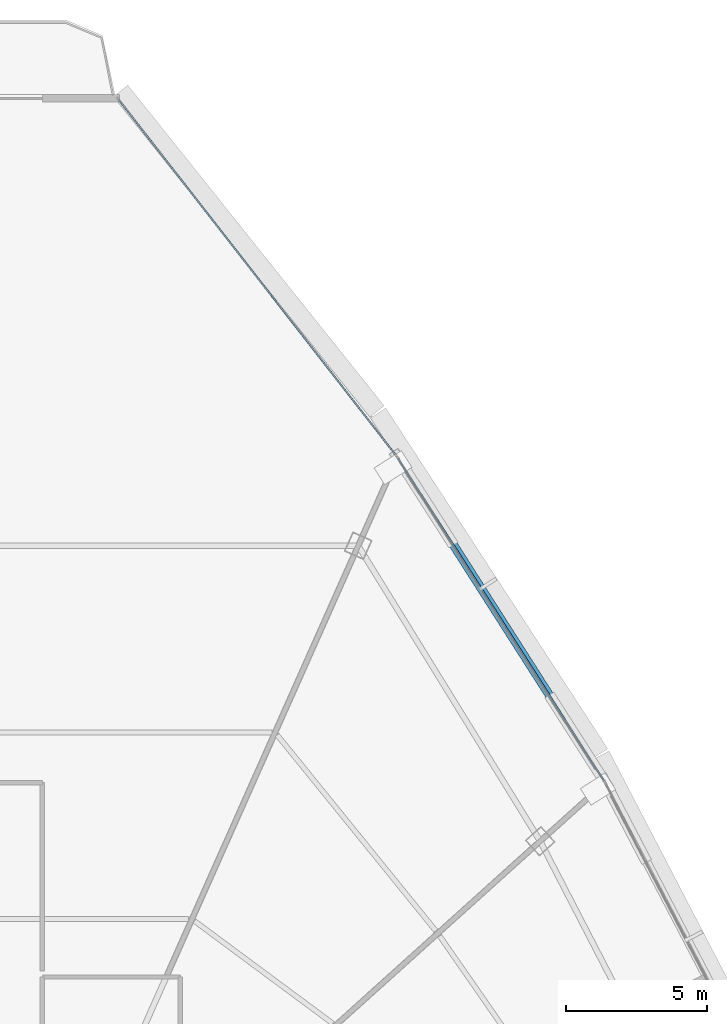
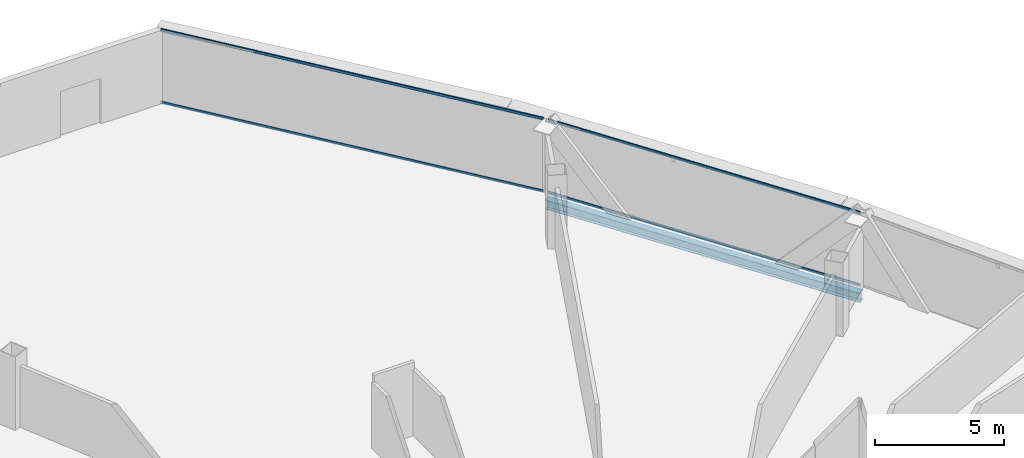
# One storey, part 26 of 39: 4 members, 1 beam, 2 elements without a shape of their own.
"""IFC4 building model written with IfcOpenShell, lengths in metres."""

from ifc_helpers import new_model, si_unit, direction, frame, origin, origin_2d, place, context, subcontext, project, spatial, hollow_rectangle, i_section, extrude, source, transform, mapped, material, layer, layer_set, material_profile, profile_set, type_object, element, aggregate, save


model = new_model("IFC4")

# Units and contexts
model_context = context("Model", 3, precision=1e-05, world=origin(), true_north=direction((0.0, 1.0)))
body_context = subcontext(model_context, "Body", "Model", "MODEL_VIEW")
ifc_project = project(units=[si_unit("LENGTHUNIT", "METRE"), si_unit("AREAUNIT", "SQUARE_METRE"), si_unit("VOLUMEUNIT", "CUBIC_METRE"), si_unit("PLANEANGLEUNIT", "RADIAN"), si_unit("MASSUNIT", "GRAM", prefix="KILO"), si_unit("THERMODYNAMICTEMPERATUREUNIT", "KELVIN"), si_unit("POWERUNIT", "WATT")], contexts=[model_context])

# Site, building, storey
site_placement = place(None, origin())
site = spatial("IfcSite", under=ifc_project, at=site_placement, CompositionType="ELEMENT")
building_placement = place(site_placement, origin())
building = spatial("IfcBuilding", under=site, at=building_placement, Name="Yunzhuo Pagoda Commons", CompositionType="ELEMENT")
storey_placement = place(building_placement, frame((0.0, 0.0, 285.02001953125)))
storey = spatial("IfcBuildingStorey", under=building, at=storey_placement, Name="L71", CompositionType="ELEMENT", Elevation=285.02001953125)

# Beam
ifc_material_1 = material(Name="Structural steel Q355B", Category="steel")
ifc_material_profile_1 = material_profile(ifc_material_1, i_section(OverallWidth=0.300048828125, OverallDepth=0.43994140625, WebThickness=0.010986328125, FlangeThickness=0.01806640625, at=origin_2d()), Name="Structural steel Q355B")
ifc_profile_set_1 = profile_set([ifc_material_profile_1], Name="Structural steel Q355B")
beam_type = type_object("IfcBeamType", Name="B-SP2 Beam HM 440x300x11x18", PredefinedType="BEAM", material=ifc_profile_set_1)
shared_shape_1 = source(origin(), body_context, "Body", "SweptSolid", [
    extrude(i_section(OverallWidth=0.300048828125, OverallDepth=0.43994140625, WebThickness=0.010986328125, FlangeThickness=0.01806640625, at=origin_2d()), origin(), (0.0, 0.0, 1.0), 13.6962890625),
])
beam_placement = place(storey_placement, frame((68.883056640625, 52.5029296875, -0.47998046875), z_axis=(-0.53827499395, 0.842769263137, 0.0), x_axis=(-0.842769263137, -0.53827499395, 0.0)))
element("IfcBeam", 1, at=beam_placement, inside=storey, type_object=beam_type, Name="L71 facade edge spandrel beam F2.3", PredefinedType="BEAM", context=body_context, shape_type="MappedRepresentation", body=[
    mapped(shared_shape_1, transform((0.0, 0.0, 0.0), scale=1.0)),
])

# Curtain wall, members
ifc_material_2 = material(Name="Anodized aluminium 6063-T6", Category="aluminium")
ifc_layer = layer(ifc_material_2, 0.139892578125)
ifc_layer_set = layer_set([ifc_layer], Name="Anodized aluminium 6063-T6")
curtain_wall_type = type_object("IfcCurtainWallType", Name="CW-HI High-Zone Ribbon Curtain Wall", PredefinedType="NOTDEFINED", material=ifc_layer_set)
curtain_wall_1_placement = place(storey_placement, origin())
curtain_wall_1 = element("IfcCurtainWall", 2, at=curtain_wall_1_placement, inside=storey, type_object=curtain_wall_type, Name="L71 curtain wall CW-L71-F2B4", PredefinedType="NOTDEFINED")
ifc_material_profile_2 = material_profile(ifc_material_2, hollow_rectangle(XDim=0.054931640625, YDim=0.1201171875, WallThickness=0.00341796875, at=origin_2d()), Name="Anodized aluminium 6063-T6")
ifc_profile_set_2 = profile_set([ifc_material_profile_2], Name="Anodized aluminium 6063-T6")
member_type = type_object("IfcMemberType", Name="CW-HI-T Transom RHS 120x55x3.5", PredefinedType="USERDEFINED", material=ifc_profile_set_2)
shared_shape_2 = source(origin(), body_context, "Body", "SweptSolid", [
    extrude(hollow_rectangle(XDim=0.054931640625, YDim=0.1201171875, WallThickness=0.00341796875, at=origin_2d()), origin(), (0.0, 0.0, 1.0), 13.575927734375),
])
member_1_placement = place(storey_placement, frame((68.850341796875, 52.553466796875, 0.027587890625), z_axis=(-0.538254824974, 0.84278214468, 0.0), x_axis=(-0.84278214468, -0.538254824974, 0.0)))
member_1 = element("IfcMember", 3, at=member_1_placement, type_object=member_type, Name="CW transom 1.1", ObjectType="TRANSOM", PredefinedType="USERDEFINED", context=body_context, shape_type="MappedRepresentation", body=[
    mapped(shared_shape_2, transform((0.0, 0.0, 0.0), scale=1.0)),
])
member_2_placement = place(storey_placement, frame((68.850341796875, 52.553466796875, 3.4423828125), z_axis=(-0.538254824974, 0.84278214468, 0.0), x_axis=(-0.84278214468, -0.538254824974, 0.0)))
member_2 = element("IfcMember", 4, at=member_2_placement, type_object=member_type, Name="CW transom 1.2", ObjectType="TRANSOM", PredefinedType="USERDEFINED", context=body_context, shape_type="MappedRepresentation", body=[
    mapped(shared_shape_2, transform((0.0, 0.0, 0.0), scale=1.0)),
])
aggregate(curtain_wall_1, [member_1, member_2])

curtain_wall_2_placement = place(storey_placement, origin())
curtain_wall_2 = element("IfcCurtainWall", 5, at=curtain_wall_2_placement, inside=storey, type_object=curtain_wall_type, Name="L71 curtain wall CW-L71-F2B5", PredefinedType="NOTDEFINED")
shared_shape_3 = source(origin(), body_context, "Body", "SweptSolid", [
    extrude(hollow_rectangle(XDim=0.054931640625, YDim=0.1201171875, WallThickness=0.00341796875, at=origin_2d()), origin(), (0.0, 0.0, 1.0), 15.966064453125),
])
member_3_placement = place(storey_placement, frame((61.427734375, 64.152099609375, 0.027587890625), z_axis=(-0.61466551627, 0.788787869524, 0.0), x_axis=(-0.788787869524, -0.61466551627, 0.0)))
member_3 = element("IfcMember", 6, at=member_3_placement, type_object=member_type, Name="CW transom 1.1", ObjectType="TRANSOM", PredefinedType="USERDEFINED", context=body_context, shape_type="MappedRepresentation", body=[
    mapped(shared_shape_3, transform((0.0, 0.0, 0.0), scale=1.0)),
])
member_4_placement = place(storey_placement, frame((61.427734375, 64.152099609375, 3.4423828125), z_axis=(-0.61466551627, 0.788787869524, 0.0), x_axis=(-0.788787869524, -0.61466551627, 0.0)))
member_4 = element("IfcMember", 7, at=member_4_placement, type_object=member_type, Name="CW transom 1.2", ObjectType="TRANSOM", PredefinedType="USERDEFINED", context=body_context, shape_type="MappedRepresentation", body=[
    mapped(shared_shape_3, transform((0.0, 0.0, 0.0), scale=1.0)),
])
aggregate(curtain_wall_2, [member_3, member_4])

save(model, "model.ifc")
